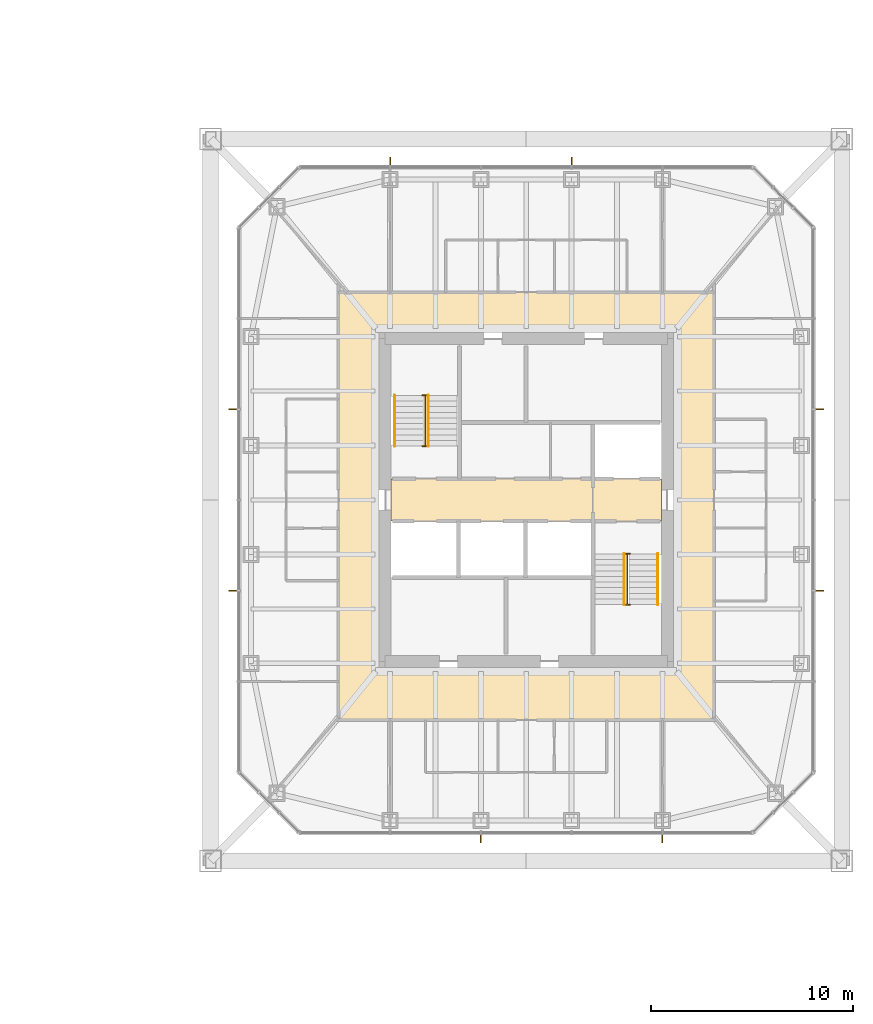
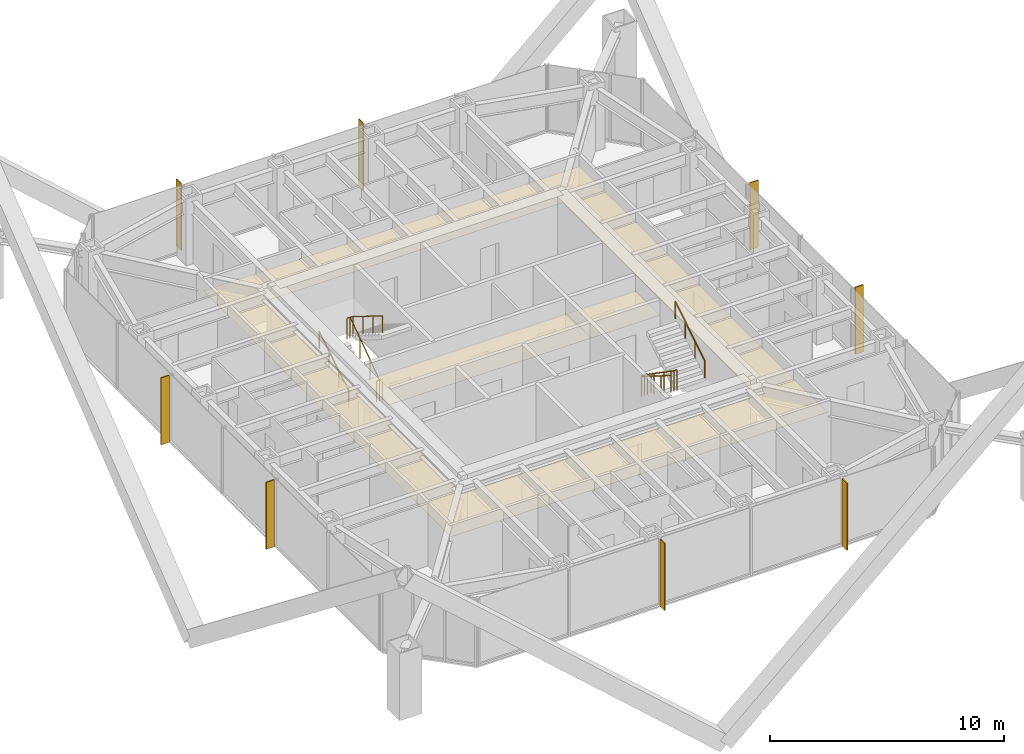
# One storey, part 23 of 23: 8 shading devices, 6 railings, 3 coverings.
"""IFC4 building model written with IfcOpenShell, lengths in metres."""

from ifc_helpers import new_model, si_unit, direction, frame, origin, origin_2d, place, context, subcontext, project, spatial, polyline, rectangle, circle, outline, extrude, material, layer, layer_set, constituent, constituent_set, type_object, element, save


model = new_model("IFC4")

# Units and contexts
model_context = context("Model", 3, precision=1e-05, world=origin(), true_north=direction((0.0, 1.0)))
body_context = subcontext(model_context, "Body", "Model", "MODEL_VIEW")
ifc_project = project(units=[si_unit("LENGTHUNIT", "METRE"), si_unit("AREAUNIT", "SQUARE_METRE"), si_unit("VOLUMEUNIT", "CUBIC_METRE"), si_unit("PLANEANGLEUNIT", "RADIAN"), si_unit("MASSUNIT", "GRAM", prefix="KILO")], contexts=[model_context])

# Site, building, storey
site_placement = place(None, origin())
site = spatial("IfcSite", under=ifc_project, at=site_placement, CompositionType="ELEMENT")
building_placement = place(site_placement, origin())
building = spatial("IfcBuilding", under=site, at=building_placement, Name="Iwan Alto Co-Living Towers", CompositionType="ELEMENT")
storey_placement = place(building_placement, frame((0.0, 0.0, 122.5)))
storey = spatial("IfcBuildingStorey", under=building, at=storey_placement, Name="L33", CompositionType="ELEMENT", Elevation=122.5)

# Coverings
ifc_material_1 = material(Name="Mineral fibre acoustic tiles on steel grid", Category="steel")
ifc_layer_1 = layer(ifc_material_1, 0.02001953125)
ifc_layer_set_1 = layer_set([ifc_layer_1], Name="ACOUSTIC TILE CEILING 20")
covering_type_1 = type_object("IfcCoveringType", Name="ACOUSTIC TILE CEILING 20", PredefinedType="CEILING", material=ifc_layer_set_1)
covering_1_placement = place(storey_placement, frame((0.0, 0.0, 2.60009765625)))
element("IfcCovering", 1, at=covering_1_placement, inside=storey, type_object=covering_type_1, Name="Ceiling Lift lobby L33", PredefinedType="CEILING", context=body_context, shape_type="SweptSolid", body=[
    extrude(outline(polyline([(56.300048828125, -1.050048828125), (56.300048828125, 1.050048828125), (66.300048828125, 1.050048828125), (66.300048828125, -1.050048828125), (56.300048828125, -1.050048828125)])), origin(), (0.0, 0.0, 1.0), 0.02001953125),
])
covering_2_placement = place(storey_placement, frame((0.0, 0.0, 2.60009765625)))
element("IfcCovering", 2, at=covering_2_placement, inside=storey, type_object=covering_type_1, Name="Ceiling Firefighting lobby L33", PredefinedType="CEILING", context=body_context, shape_type="SweptSolid", body=[
    extrude(outline(polyline([(66.300048828125, -1.050048828125), (66.300048828125, 1.050048828125), (69.699951171875, 1.050048828125), (69.699951171875, -1.050048828125), (66.300048828125, -1.050048828125)])), origin(), (0.0, 0.0, 1.0), 0.02001953125),
])

# Shading devices
ifc_material_2 = material(Name="Aluminium 6063-T6 bronze anodised", Category="aluminium")
ifc_layer_2 = layer(ifc_material_2, 0.050048828125)
ifc_layer_set_2 = layer_set([ifc_layer_2], Name="BRONZE FIN 50X400")
shading_device_type = type_object("IfcShadingDeviceType", Name="BRONZE FIN 50X400", PredefinedType="USERDEFINED", material=ifc_layer_set_2)
for number, where, z_axis, x_axis, name in (
    (3, (60.75, -16.800048828125, 0.0), (0.0, 0.0, 1.0), (1.0, 0.0, 0.0), "Bronze fin L33"),
    (4, (69.75, -16.800048828125, 0.0), (0.0, 0.0, 1.0), (1.0, 0.0, 0.0), "Bronze fin L33"),
    (5, (77.550048828125, -4.5, 0.0), (0.0, 0.0, 1.0), (0.0, 1.0, 0.0), "Bronze fin L33"),
    (6, (77.550048828125, 4.5, 0.0), (0.0, 0.0, 1.0), (0.0, 1.0, 0.0), "Bronze fin L33"),
    (7, (65.25, 16.800048828125, 0.0), (0.0, 0.0, 1.0), (-1.0, 0.0, 0.0), "Bronze fin L33"),
    (8, (56.25, 16.800048828125, 0.0), (0.0, 0.0, 1.0), (-1.0, 0.0, 0.0), "Bronze fin L33"),
    (9, (48.449951171875, 4.5, 0.0), (0.0, 0.0, 1.0), (0.0, -1.0, 0.0), "Bronze fin L33"),
    (10, (48.449951171875, -4.5, 0.0), (0.0, 0.0, 1.0), (0.0, -1.0, 0.0), "Bronze fin L33"),
):
    element("IfcShadingDevice", number, at=place(storey_placement, frame(where, z_axis=z_axis, x_axis=x_axis)), inside=storey, type_object=shading_device_type, Name=name, ObjectType="LOUVER", PredefinedType="USERDEFINED", context=body_context, shape_type="SweptSolid", body=[
        extrude(rectangle(XDim=0.050048828125, YDim=0.39990234375, at=origin_2d()), origin(), (0.0, 0.0, 1.0), 3.5),
    ])

# Railings
ifc_material_3 = material(Name="Steel ASTM A500 Gr C", Category="steel")
ifc_constituent_1 = constituent(ifc_material_3, Name="Rails and posts", Category="Framing")
ifc_material_4 = material(Name="Steel ASTM A36", Category="steel")
ifc_constituent_2 = constituent(ifc_material_4, Name="Bar infill", Category="Infill")
ifc_constituent_set = constituent_set(constituents=[ifc_constituent_1, ifc_constituent_2], Name="STAIR GUARD 1100")
railing_type_1 = type_object("IfcRailingType", Name="STAIR GUARD 1100", PredefinedType="GUARDRAIL", material=ifc_constituent_set)
railing_1_placement = place(storey_placement, frame((58.0, 2.669921875, 0.0)))
element("IfcRailing", 11, at=railing_1_placement, inside=storey, type_object=railing_type_1, Name="Stair T2-S1 well guard L33", PredefinedType="GUARDRAIL", context=body_context, shape_type="SweptSolid", body=[
    extrude(circle(Radius=0.02392578125, at=origin_2d()), frame((0.0, 0.0, 1.076171875), z_axis=(0.0, 0.821372036852, 0.570392826987), x_axis=(-1.0, 0.0, 0.0)), (0.0, 0.0, 1.0), 3.068115234375),
    extrude(circle(Radius=0.02392578125, at=origin_2d()), frame((-0.14990234375, 0.0, 1.076171875), z_axis=(1.0, 0.0, 0.0), x_axis=(0.0, 1.0, 0.0)), (0.0, 0.0, 1.0), 0.2998046875),
    extrude(circle(Radius=0.02392578125, at=origin_2d()), frame((-0.14990234375, 2.52001953125, 2.826171875), z_axis=(1.0, 0.0, 0.0), x_axis=(0.0, 1.0, 0.0)), (0.0, 0.0, 1.0), 0.2998046875),
    extrude(circle(Radius=0.02099609375, at=origin_2d()), origin(), (0.0, 0.0, 1.0), 1.052001953125),
    extrude(circle(Radius=0.02099609375, at=origin_2d()), frame((0.0, 0.840087890625, 0.583251953125)), (0.0, 0.0, 1.0), 1.052001953125),
    extrude(circle(Radius=0.02099609375, at=origin_2d()), frame((0.0, 1.679931640625, 1.166748046875)), (0.0, 0.0, 1.0), 1.052001953125),
    extrude(circle(Radius=0.02099609375, at=origin_2d()), frame((0.0, 2.52001953125, 1.75)), (0.0, 0.0, 1.0), 1.052001953125),
    extrude(circle(Radius=0.02099609375, at=origin_2d()), frame((-0.14990234375, 0.0, 0.0)), (0.0, 0.0, 1.0), 1.052001953125),
    extrude(circle(Radius=0.02099609375, at=origin_2d()), frame((0.14990234375, 0.0, 0.0)), (0.0, 0.0, 1.0), 1.052001953125),
    extrude(circle(Radius=0.02099609375, at=origin_2d()), frame((-0.14990234375, 2.52001953125, 1.75)), (0.0, 0.0, 1.0), 1.052001953125),
    extrude(circle(Radius=0.02099609375, at=origin_2d()), frame((0.14990234375, 2.52001953125, 1.75)), (0.0, 0.0, 1.0), 1.052001953125),
])
railing_2_placement = place(storey_placement, frame((68.0, -2.669921875, 0.0)))
element("IfcRailing", 12, at=railing_2_placement, inside=storey, type_object=railing_type_1, Name="Stair T2-S2 well guard L33", PredefinedType="GUARDRAIL", context=body_context, shape_type="SweptSolid", body=[
    extrude(circle(Radius=0.02392578125, at=origin_2d()), frame((0.0, 0.0, 1.076171875), z_axis=(0.0, -0.821372036852, 0.570392826987), x_axis=(1.0, 0.0, 0.0)), (0.0, 0.0, 1.0), 3.068115234375),
    extrude(circle(Radius=0.02392578125, at=origin_2d()), frame((-0.14990234375, 0.0, 1.076171875), z_axis=(1.0, 0.0, 0.0), x_axis=(0.0, 1.0, 0.0)), (0.0, 0.0, 1.0), 0.2998046875),
    extrude(circle(Radius=0.02392578125, at=origin_2d()), frame((-0.14990234375, -2.52001953125, 2.826171875), z_axis=(1.0, 0.0, 0.0), x_axis=(0.0, 1.0, 0.0)), (0.0, 0.0, 1.0), 0.2998046875),
    extrude(circle(Radius=0.02099609375, at=origin_2d()), origin(), (0.0, 0.0, 1.0), 1.052001953125),
    extrude(circle(Radius=0.02099609375, at=origin_2d()), frame((0.0, -0.840087890625, 0.583251953125)), (0.0, 0.0, 1.0), 1.052001953125),
    extrude(circle(Radius=0.02099609375, at=origin_2d()), frame((0.0, -1.679931640625, 1.166748046875)), (0.0, 0.0, 1.0), 1.052001953125),
    extrude(circle(Radius=0.02099609375, at=origin_2d()), frame((0.0, -2.52001953125, 1.75)), (0.0, 0.0, 1.0), 1.052001953125),
    extrude(circle(Radius=0.02099609375, at=origin_2d()), frame((-0.14990234375, 0.0, 0.0)), (0.0, 0.0, 1.0), 1.052001953125),
    extrude(circle(Radius=0.02099609375, at=origin_2d()), frame((0.14990234375, 0.0, 0.0)), (0.0, 0.0, 1.0), 1.052001953125),
    extrude(circle(Radius=0.02099609375, at=origin_2d()), frame((-0.14990234375, -2.52001953125, 1.75)), (0.0, 0.0, 1.0), 1.052001953125),
    extrude(circle(Radius=0.02099609375, at=origin_2d()), frame((0.14990234375, -2.52001953125, 1.75)), (0.0, 0.0, 1.0), 1.052001953125),
])
ifc_material_5 = material(Name="Steel ASTM A500 Gr C", Category="steel")
railing_type_2 = type_object("IfcRailingType", Name="STAIR HANDRAIL 900", PredefinedType="HANDRAIL", material=ifc_material_5)
railing_3_placement = place(storey_placement, frame((56.469970703125, 2.669921875, 0.175048828125)))
element("IfcRailing", 13, at=railing_3_placement, inside=storey, type_object=railing_type_2, Name="Stair T2-S1 handrail 1 L33", PredefinedType="HANDRAIL", context=body_context, shape_type="SweptSolid", body=[
    extrude(circle(Radius=0.02392578125, at=origin_2d()), frame((0.0, 0.0, 0.8759765625), z_axis=(0.0, 0.848007534815, 0.529984170421), x_axis=(-1.0, 0.0, 0.0)), (0.0, 0.0, 1.0), 2.9716796875),
    extrude(circle(Radius=0.02099609375, at=origin_2d()), origin(), (0.0, 0.0, 1.0), 0.851806640625),
    extrude(circle(Radius=0.02099609375, at=origin_2d()), frame((0.0, 0.840087890625, 0.52490234375)), (0.0, 0.0, 1.0), 0.851806640625),
    extrude(circle(Radius=0.02099609375, at=origin_2d()), frame((0.0, 1.679931640625, 1.050048828125)), (0.0, 0.0, 1.0), 0.851806640625),
    extrude(circle(Radius=0.02099609375, at=origin_2d()), frame((0.0, 2.52001953125, 1.574951171875)), (0.0, 0.0, 1.0), 0.851806640625),
])
for number, where, name in (
    (14, (58.14990234375, 5.18994140625, 1.925048828125), "Stair T2-S1 handrail 2 L33"),
    (15, (67.85009765625, -2.669921875, 0.175048828125), "Stair T2-S2 handrail 1 L33"),
):
    element("IfcRailing", number, at=place(storey_placement, frame(where)), inside=storey, type_object=railing_type_2, Name=name, PredefinedType="HANDRAIL", context=body_context, shape_type="SweptSolid", body=[
        extrude(circle(Radius=0.02392578125, at=origin_2d()), frame((0.0, 0.0, 0.8759765625), z_axis=(0.0, -0.848007534815, 0.529984170421), x_axis=(1.0, 0.0, 0.0)), (0.0, 0.0, 1.0), 2.9716796875),
        extrude(circle(Radius=0.02099609375, at=origin_2d()), origin(), (0.0, 0.0, 1.0), 0.851806640625),
        extrude(circle(Radius=0.02099609375, at=origin_2d()), frame((0.0, -0.840087890625, 0.52490234375)), (0.0, 0.0, 1.0), 0.851806640625),
        extrude(circle(Radius=0.02099609375, at=origin_2d()), frame((0.0, -1.679931640625, 1.050048828125)), (0.0, 0.0, 1.0), 0.851806640625),
        extrude(circle(Radius=0.02099609375, at=origin_2d()), frame((0.0, -2.52001953125, 1.574951171875)), (0.0, 0.0, 1.0), 0.851806640625),
    ])
railing_4_placement = place(storey_placement, frame((69.530029296875, -5.18994140625, 1.925048828125)))
element("IfcRailing", 16, at=railing_4_placement, inside=storey, type_object=railing_type_2, Name="Stair T2-S2 handrail 2 L33", PredefinedType="HANDRAIL", context=body_context, shape_type="SweptSolid", body=[
    extrude(circle(Radius=0.02392578125, at=origin_2d()), frame((0.0, 0.0, 0.8759765625), z_axis=(0.0, 0.848007534815, 0.529984170421), x_axis=(-1.0, 0.0, 0.0)), (0.0, 0.0, 1.0), 2.9716796875),
    extrude(circle(Radius=0.02099609375, at=origin_2d()), origin(), (0.0, 0.0, 1.0), 0.851806640625),
    extrude(circle(Radius=0.02099609375, at=origin_2d()), frame((0.0, 0.840087890625, 0.52490234375)), (0.0, 0.0, 1.0), 0.851806640625),
    extrude(circle(Radius=0.02099609375, at=origin_2d()), frame((0.0, 1.679931640625, 1.050048828125)), (0.0, 0.0, 1.0), 0.851806640625),
    extrude(circle(Radius=0.02099609375, at=origin_2d()), frame((0.0, 2.52001953125, 1.574951171875)), (0.0, 0.0, 1.0), 0.851806640625),
])

# Covering
ifc_material_6 = material(Name="Gypsum plasterboard on steel grid", Category="steel")
ifc_layer_3 = layer(ifc_material_6, 0.014892578125)
ifc_layer_set_3 = layer_set([ifc_layer_3], Name="SUSPENDED PLASTERBOARD CEILING 15")
covering_type_2 = type_object("IfcCoveringType", Name="SUSPENDED PLASTERBOARD CEILING 15", PredefinedType="CEILING", material=ifc_layer_set_3)
covering_3_placement = place(storey_placement, frame((0.0, 0.0, 2.60009765625)))
element("IfcCovering", 17, at=covering_3_placement, inside=storey, type_object=covering_type_2, Name="Ceiling Corridor L33", PredefinedType="CEILING", context=body_context, shape_type="SweptSolid", body=[
    extrude(outline(polyline([(53.699951171875, 10.300048828125), (72.300048828125, 10.300048828125), (72.300048828125, -10.89990234375), (53.699951171875, -10.89990234375), (53.699951171875, 10.300048828125)]), holes=[polyline([(55.699951171875, 8.300048828125), (55.699951171875, -8.300048828125), (70.300048828125, -8.300048828125), (70.300048828125, 8.300048828125), (55.699951171875, 8.300048828125)])]), origin(), (0.0, 0.0, 1.0), 0.014892578125),
])

save(model, "model.ifc")
